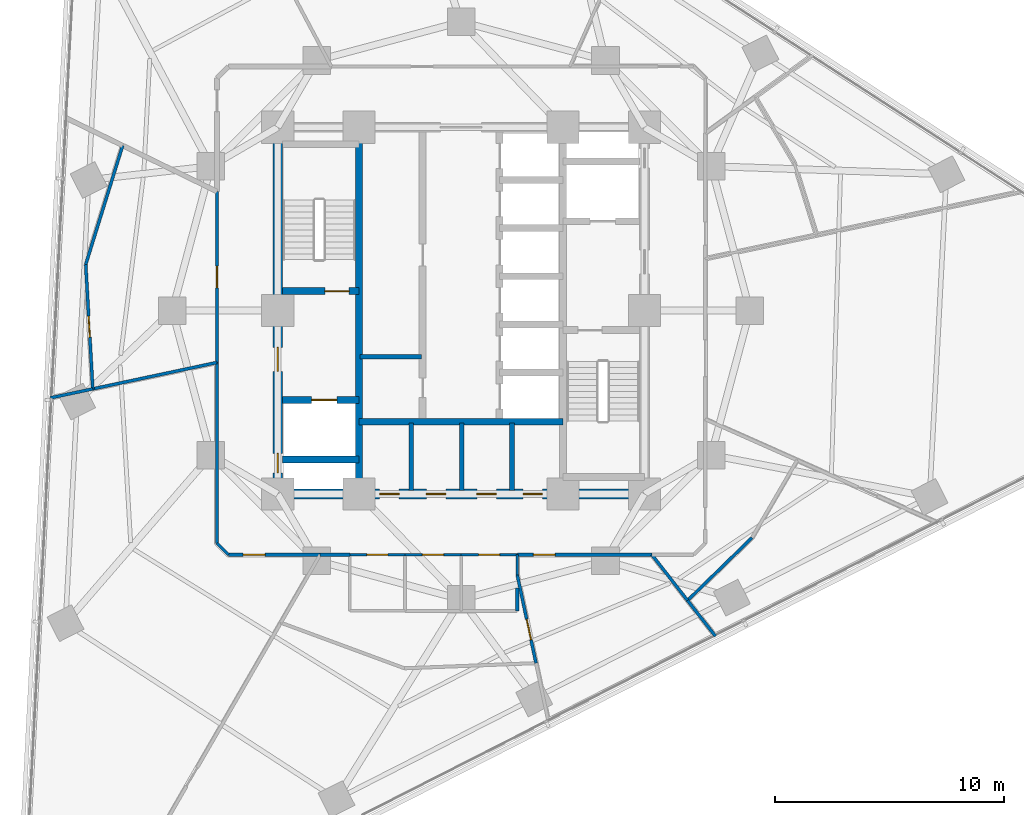
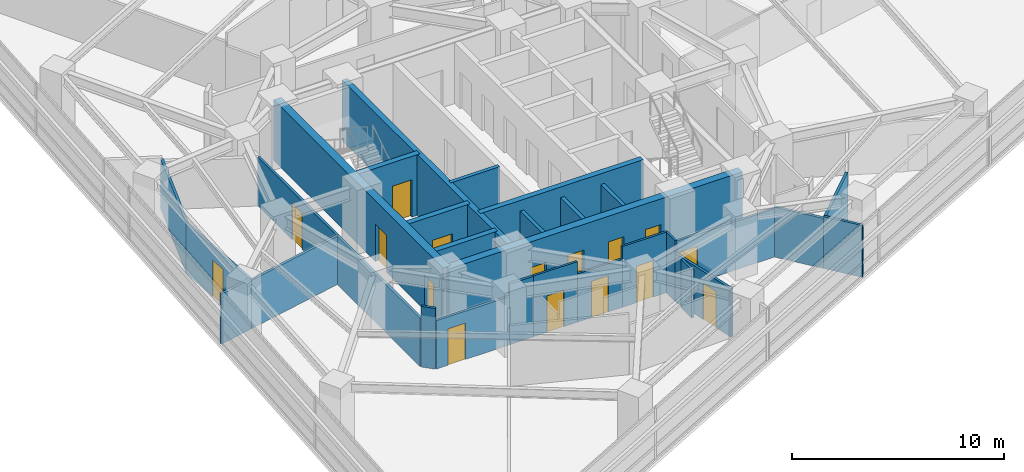
# One storey, part 8 of 14: 30 walls, 16 doors, 16 openings.
"""IFC4 building model written with IfcOpenShell, lengths in metres."""

from ifc_helpers import new_model, si_unit, direction, frame, frame_2d, origin, place, context, subcontext, project, spatial, rectangle, extrude, material, layer, layer_set, type_object, element, fill, save


model = new_model("IFC4")

# Units and contexts
model_context = context("Model", 3, precision=1e-05, world=origin(), true_north=direction((0.0, 1.0)))
body_context = subcontext(model_context, "Body", "Model", "MODEL_VIEW")
ifc_project = project(units=[si_unit("LENGTHUNIT", "METRE"), si_unit("AREAUNIT", "SQUARE_METRE"), si_unit("VOLUMEUNIT", "CUBIC_METRE"), si_unit("PLANEANGLEUNIT", "RADIAN"), si_unit("MASSUNIT", "GRAM", prefix="KILO")], contexts=[model_context])

# Site, building, storey
site_placement = place(None, origin())
site = spatial("IfcSite", under=ifc_project, at=site_placement, CompositionType="ELEMENT")
building_placement = place(site_placement, origin())
building = spatial("IfcBuilding", under=site, at=building_placement, Name="Terralouvre Media Tower", CompositionType="ELEMENT")
storey_placement = place(building_placement, frame((0.0, 0.0, 142.10009765625)))
storey = spatial("IfcBuildingStorey", under=building, at=storey_placement, Name="L36", CompositionType="ELEMENT", Elevation=142.10009765625)

# Wall
ifc_material_1 = material(Name="Concrete C50/60", Category="concrete")
ifc_layer_1 = layer(ifc_material_1, 0.300048828125, Name="Core Internal Shaft Wall CW-300")
ifc_layer_set_1 = layer_set([ifc_layer_1], Name="Concrete C50/60")
wall_type_1 = type_object("IfcWallType", Name="Core Internal Shaft Wall CW-300", PredefinedType="SHEAR", material=ifc_layer_set_1)
wall_1_placement = place(storey_placement, frame((-4.449951171875, -7.7900390625, 0.0), z_axis=(0.0, 0.0, 1.0), x_axis=(0.0, 1.0, 0.0)))
element("IfcWall", 1, at=wall_1_placement, inside=storey, type_object=wall_type_1, Name="L36 Core Shaft Wall SPW", PredefinedType="SHEAR", context=body_context, shape_type="SweptSolid", body=[
    extrude(rectangle(XDim=15.580078125, YDim=0.300048828125, at=frame_2d((7.7900390625, 0.0))), origin(), (0.0, 0.0, 1.0), 3.5),
])

# Wall, opening, door
wall_2_placement = place(storey_placement, frame((-7.7900390625, 0.85009765625, 0.0), z_axis=(0.0, 0.0, 1.0), x_axis=(1.0, 0.0, 0.0)))
wall_2 = element("IfcWall", 2, at=wall_2_placement, inside=storey, type_object=wall_type_1, Name="L36 Core Shaft Wall ST1D", PredefinedType="SHEAR", context=body_context, shape_type="SweptSolid", body=[
    extrude(rectangle(XDim=3.340087890625, YDim=0.300048828125, at=frame_2d((1.669921875, 0.0))), origin(), (0.0, 0.0, 1.0), 3.5),
])
opening_1_placement = place(wall_2_placement, frame((1.85009765625, 0.0, 0.0)))
opening_1 = element("IfcOpeningElement", 3, at=opening_1_placement, cuts=wall_2, Name="Opening FD-01-105X215", PredefinedType="OPENING", context=body_context, shape_type="SweptSolid", body=[
    extrude(rectangle(XDim=1.050048828125, YDim=2.14990234375, at=frame_2d((0.52490234375, 1.074951171875))), frame((0.0, 0.159912109375, 0.0), z_axis=(0.0, -1.0, 0.0), x_axis=(1.0, 0.0, 0.0)), (0.0, 0.0, 1.0), 0.320068359375),
])
ifc_material_2 = material(Name="Galvanised steel fire-resisting leaf", Category="steel")
door_type_1 = type_object("IfcDoorType", Name="Stair and Firefighting Lobby Fire Door FD-01 (1050x2150)", OperationType="NOTDEFINED", PredefinedType="DOOR", material=ifc_material_2)
door_1_placement = place(opening_1_placement, origin())
door_1 = element("IfcDoor", 4, at=door_1_placement, inside=storey, type_object=door_type_1, Name="L36 ST-01 Exit Stair Door", OperationType="SINGLE_SWING_LEFT", OverallHeight=2.14990234375, OverallWidth=1.050048828125, PredefinedType="DOOR", context=body_context, shape_type="SweptSolid", body=[
    extrude(rectangle(XDim=1.050048828125, YDim=2.14990234375, at=frame_2d((0.52490234375, 1.074951171875))), frame((0.0, 0.02490234375, 0.0), z_axis=(0.0, -1.0, 0.0), x_axis=(1.0, 0.0, 0.0)), (0.0, 0.0, 1.0), 0.050048828125),
])
fill(opening_1, door_1)

wall_3_placement = place(storey_placement, frame((-7.7900390625, -3.89990234375, 0.0), z_axis=(0.0, 0.0, 1.0), x_axis=(1.0, 0.0, 0.0)))
wall_3 = element("IfcWall", 5, at=wall_3_placement, inside=storey, type_object=wall_type_1, Name="L36 Core Shaft Wall FF1N", PredefinedType="SHEAR", context=body_context, shape_type="SweptSolid", body=[
    extrude(rectangle(XDim=3.340087890625, YDim=0.300048828125, at=frame_2d((1.669921875, 0.0))), origin(), (0.0, 0.0, 1.0), 3.5),
])
opening_2_placement = place(wall_3_placement, frame((1.27001953125, 0.0, 0.0)))
opening_2 = element("IfcOpeningElement", 6, at=opening_2_placement, cuts=wall_3, Name="Opening LD-FF", PredefinedType="OPENING", context=body_context, shape_type="SweptSolid", body=[
    extrude(rectangle(XDim=1.10009765625, YDim=2.10009765625, at=frame_2d((0.550048828125, 1.050048828125))), frame((0.0, 0.159912109375, 0.0), z_axis=(0.0, -1.0, 0.0), x_axis=(1.0, 0.0, 0.0)), (0.0, 0.0, 1.0), 0.320068359375),
])
ifc_material_3 = material(Name="Stainless steel 316 handrail and balustrade", Category="steel")
door_type_2 = type_object("IfcDoorType", Name="Firefighting Lift Sliding Landing Door LD-FF", OperationType="SLIDING_TO_LEFT", PredefinedType="DOOR", material=ifc_material_3)
door_2_placement = place(opening_2_placement, origin())
door_2 = element("IfcDoor", 7, at=door_2_placement, inside=storey, type_object=door_type_2, Name="L36 Firefighting Lift FFL-01 Landing Door", OperationType="SLIDING_TO_LEFT", OverallHeight=2.10009765625, OverallWidth=1.10009765625, PredefinedType="DOOR", context=body_context, shape_type="SweptSolid", body=[
    extrude(rectangle(XDim=1.10009765625, YDim=2.10009765625, at=frame_2d((0.550048828125, 1.050048828125))), frame((0.0, 0.02490234375, 0.0), z_axis=(0.0, -1.0, 0.0), x_axis=(1.0, 0.0, 0.0)), (0.0, 0.0, 1.0), 0.050048828125),
])
fill(opening_2, door_2)

# Walls
wall_4_placement = place(storey_placement, frame((-7.7900390625, -6.5, 0.0), z_axis=(0.0, 0.0, 1.0), x_axis=(1.0, 0.0, 0.0)))
element("IfcWall", 8, at=wall_4_placement, inside=storey, type_object=wall_type_1, Name="L36 Core Shaft Wall FF1S", PredefinedType="SHEAR", context=body_context, shape_type="SweptSolid", body=[
    extrude(rectangle(XDim=3.340087890625, YDim=0.300048828125, at=frame_2d((1.669921875, 0.0))), origin(), (0.0, 0.0, 1.0), 3.5),
])
wall_5_placement = place(storey_placement, frame((-4.449951171875, -4.85009765625, 0.0), z_axis=(0.0, 0.0, 1.0), x_axis=(1.0, 0.0, 0.0)))
element("IfcWall", 9, at=wall_5_placement, inside=storey, type_object=wall_type_1, Name="L36 Core Shaft Wall CSBN", PredefinedType="SHEAR", context=body_context, shape_type="SweptSolid", body=[
    extrude(rectangle(XDim=8.89990234375, YDim=0.300048828125, at=frame_2d((4.449951171875, 0.0))), origin(), (0.0, 0.0, 1.0), 3.5),
])

# Wall, openings, doors
ifc_material_4 = material(Name="Concrete C60/75", Category="concrete")
ifc_layer_2 = layer(ifc_material_4, 0.419921875, Name="Core Reinforced Concrete Shear Wall CW-420")
ifc_layer_set_2 = layer_set([ifc_layer_2], Name="Concrete C60/75")
wall_type_2 = type_object("IfcWallType", Name="Core Reinforced Concrete Shear Wall CW-420", PredefinedType="SHEAR", material=ifc_layer_set_2)
wall_6_placement = place(storey_placement, frame((-8.0, -8.0, 0.0), z_axis=(0.0, 0.0, 1.0), x_axis=(0.0, 1.0, 0.0)))
wall_6 = element("IfcWall", 10, at=wall_6_placement, inside=storey, type_object=wall_type_2, Name="L36 W Core Shear Wall", PredefinedType="SHEAR", context=body_context, shape_type="SweptSolid", body=[
    extrude(rectangle(XDim=16.0, YDim=0.419921875, at=frame_2d((8.0, 0.0))), origin(), (0.0, 0.0, 1.0), 3.5),
])
opening_3_placement = place(wall_6_placement, frame((0.921630859375, 0.0, 0.0)))
opening_3 = element("IfcOpeningElement", 11, at=opening_3_placement, cuts=wall_6, Name="Opening TD-R1", PredefinedType="OPENING", context=body_context, shape_type="SweptSolid", body=[
    extrude(rectangle(XDim=0.85009765625, YDim=2.02001953125, at=frame_2d((0.425048828125, 1.010009765625))), frame((0.0, 0.219970703125, 0.0), z_axis=(0.0, -1.0, 0.0), x_axis=(1.0, 0.0, 0.0)), (0.0, 0.0, 1.0), 0.43994140625),
])
opening_4_placement = place(wall_6_placement, frame((5.35009765625, 0.0, 0.0)))
opening_4 = element("IfcOpeningElement", 12, at=opening_4_placement, cuts=wall_6, Name="Opening FD-01-105X215", PredefinedType="OPENING", context=body_context, shape_type="SweptSolid", body=[
    extrude(rectangle(XDim=1.050048828125, YDim=2.14990234375, at=frame_2d((0.52490234375, 1.074951171875))), frame((0.0, 0.219970703125, 0.0), z_axis=(0.0, -1.0, 0.0), x_axis=(1.0, 0.0, 0.0)), (0.0, 0.0, 1.0), 0.43994140625),
])
ifc_material_5 = material(Name="Galvanised steel fire-resisting leaf", Category="steel")
door_type_3 = type_object("IfcDoorType", Name="Riser Inspection Access Trapdoor TD-R1", OperationType="NOTDEFINED", PredefinedType="TRAPDOOR", material=ifc_material_5)
door_3_placement = place(opening_3_placement, origin())
door_3 = element("IfcDoor", 13, at=door_3_placement, inside=storey, type_object=door_type_3, Name="L36 Wet Riser Access Trapdoor", OperationType="SINGLE_SWING_LEFT", OverallHeight=2.02001953125, OverallWidth=0.85009765625, PredefinedType="TRAPDOOR", context=body_context, shape_type="SweptSolid", body=[
    extrude(rectangle(XDim=0.85009765625, YDim=2.02001953125, at=frame_2d((0.425048828125, 1.010009765625))), frame((0.0, 0.02490234375, 0.0), z_axis=(0.0, -1.0, 0.0), x_axis=(1.0, 0.0, 0.0)), (0.0, 0.0, 1.0), 0.050048828125),
])
fill(opening_3, door_3)
door_4_placement = place(opening_4_placement, origin())
door_4 = element("IfcDoor", 14, at=door_4_placement, inside=storey, type_object=door_type_1, Name="L36 West Firefighting Lobby Entry Door", OperationType="SINGLE_SWING_RIGHT", OverallHeight=2.14990234375, OverallWidth=1.050048828125, PredefinedType="DOOR", context=body_context, shape_type="SweptSolid", body=[
    extrude(rectangle(XDim=1.050048828125, YDim=2.14990234375, at=frame_2d((0.52490234375, 1.074951171875))), frame((0.0, 0.02490234375, 0.0), z_axis=(0.0, -1.0, 0.0), x_axis=(1.0, 0.0, 0.0)), (0.0, 0.0, 1.0), 0.050048828125),
])
fill(opening_4, door_4)

wall_7_placement = place(storey_placement, frame((-8.0, -8.0, 0.0), z_axis=(0.0, 0.0, 1.0), x_axis=(1.0, 0.0, 0.0)))
wall_7 = element("IfcWall", 15, at=wall_7_placement, inside=storey, type_object=wall_type_2, Name="L36 S Core Shear Wall", PredefinedType="SHEAR", context=body_context, shape_type="SweptSolid", body=[
    extrude(rectangle(XDim=16.0, YDim=0.419921875, at=frame_2d((8.0, 0.0))), origin(), (0.0, 0.0, 1.0), 3.5),
])
opening_5_placement = place(wall_7_placement, frame((4.44873046875, 0.0, 0.0)))
opening_5 = element("IfcOpeningElement", 16, at=opening_5_placement, cuts=wall_7, Name="Opening TD-R1", PredefinedType="OPENING", context=body_context, shape_type="SweptSolid", body=[
    extrude(rectangle(XDim=0.85009765625, YDim=2.02001953125, at=frame_2d((0.425048828125, 1.010009765625))), frame((0.0, 0.219970703125, 0.0), z_axis=(0.0, -1.0, 0.0), x_axis=(1.0, 0.0, 0.0)), (0.0, 0.0, 1.0), 0.43994140625),
])
opening_6_placement = place(wall_7_placement, frame((6.489990234375, 0.0, 0.0)))
opening_6 = element("IfcOpeningElement", 17, at=opening_6_placement, cuts=wall_7, Name="Opening TD-R1", PredefinedType="OPENING", context=body_context, shape_type="SweptSolid", body=[
    extrude(rectangle(XDim=0.85009765625, YDim=2.02001953125, at=frame_2d((0.425048828125, 1.010009765625))), frame((0.0, 0.219970703125, 0.0), z_axis=(0.0, -1.0, 0.0), x_axis=(1.0, 0.0, 0.0)), (0.0, 0.0, 1.0), 0.43994140625),
])
opening_7_placement = place(wall_7_placement, frame((8.68994140625, 0.0, 0.0)))
opening_7 = element("IfcOpeningElement", 18, at=opening_7_placement, cuts=wall_7, Name="Opening TD-R1", PredefinedType="OPENING", context=body_context, shape_type="SweptSolid", body=[
    extrude(rectangle(XDim=0.85009765625, YDim=2.02001953125, at=frame_2d((0.425048828125, 1.010009765625))), frame((0.0, 0.219970703125, 0.0), z_axis=(0.0, -1.0, 0.0), x_axis=(1.0, 0.0, 0.0)), (0.0, 0.0, 1.0), 0.43994140625),
])
opening_8_placement = place(wall_7_placement, frame((10.701416015625, 0.0, 0.0)))
opening_8 = element("IfcOpeningElement", 19, at=opening_8_placement, cuts=wall_7, Name="Opening TD-R1", PredefinedType="OPENING", context=body_context, shape_type="SweptSolid", body=[
    extrude(rectangle(XDim=0.85009765625, YDim=2.02001953125, at=frame_2d((0.425048828125, 1.010009765625))), frame((0.0, 0.219970703125, 0.0), z_axis=(0.0, -1.0, 0.0), x_axis=(1.0, 0.0, 0.0)), (0.0, 0.0, 1.0), 0.43994140625),
])
door_5_placement = place(opening_5_placement, origin())
door_5 = element("IfcDoor", 20, at=door_5_placement, inside=storey, type_object=door_type_3, Name="L36 Core Battery Plant Door", OperationType="SINGLE_SWING_LEFT", OverallHeight=2.02001953125, OverallWidth=0.85009765625, PredefinedType="TRAPDOOR", context=body_context, shape_type="SweptSolid", body=[
    extrude(rectangle(XDim=0.85009765625, YDim=2.02001953125, at=frame_2d((0.425048828125, 1.010009765625))), frame((0.0, 0.02490234375, 0.0), z_axis=(0.0, -1.0, 0.0), x_axis=(1.0, 0.0, 0.0)), (0.0, 0.0, 1.0), 0.050048828125),
])
fill(opening_5, door_5)
door_6_placement = place(opening_6_placement, origin())
door_6 = element("IfcDoor", 21, at=door_6_placement, inside=storey, type_object=door_type_3, Name="L36 Core IT Patch Plant Door", OperationType="SINGLE_SWING_RIGHT", OverallHeight=2.02001953125, OverallWidth=0.85009765625, PredefinedType="TRAPDOOR", context=body_context, shape_type="SweptSolid", body=[
    extrude(rectangle(XDim=0.85009765625, YDim=2.02001953125, at=frame_2d((0.425048828125, 1.010009765625))), frame((0.0, 0.02490234375, 0.0), z_axis=(0.0, -1.0, 0.0), x_axis=(1.0, 0.0, 0.0)), (0.0, 0.0, 1.0), 0.050048828125),
])
fill(opening_6, door_6)
door_7_placement = place(opening_7_placement, origin())
door_7 = element("IfcDoor", 22, at=door_7_placement, inside=storey, type_object=door_type_3, Name="L36 Core Housekeeping Store Door", OperationType="SINGLE_SWING_LEFT", OverallHeight=2.02001953125, OverallWidth=0.85009765625, PredefinedType="TRAPDOOR", context=body_context, shape_type="SweptSolid", body=[
    extrude(rectangle(XDim=0.85009765625, YDim=2.02001953125, at=frame_2d((0.425048828125, 1.010009765625))), frame((0.0, 0.02490234375, 0.0), z_axis=(0.0, -1.0, 0.0), x_axis=(1.0, 0.0, 0.0)), (0.0, 0.0, 1.0), 0.050048828125),
])
fill(opening_7, door_7)
door_8_placement = place(opening_8_placement, origin())
door_8 = element("IfcDoor", 23, at=door_8_placement, inside=storey, type_object=door_type_3, Name="L36 Core Smoke Damper Plant Door", OperationType="SINGLE_SWING_RIGHT", OverallHeight=2.02001953125, OverallWidth=0.85009765625, PredefinedType="TRAPDOOR", context=body_context, shape_type="SweptSolid", body=[
    extrude(rectangle(XDim=0.85009765625, YDim=2.02001953125, at=frame_2d((0.425048828125, 1.010009765625))), frame((0.0, 0.02490234375, 0.0), z_axis=(0.0, -1.0, 0.0), x_axis=(1.0, 0.0, 0.0)), (0.0, 0.0, 1.0), 0.050048828125),
])
fill(opening_8, door_8)

# Walls
ifc_material_6 = material(Name="Fire-rated gypsum board drywall partition")
ifc_layer_3 = layer(ifc_material_6, 0.199951171875, Name="Fire-Rated Shaft and Lobby Partition FW-200")
ifc_layer_set_3 = layer_set([ifc_layer_3], Name="Fire-rated gypsum board drywall partition")
wall_type_3 = type_object("IfcWallType", Name="Fire-Rated Shaft and Lobby Partition FW-200", PredefinedType="SOLIDWALL", material=ifc_layer_set_3)
for number, where, z_axis, x_axis, name in (
    (24, (-2.179931640625, -7.85009765625, 0.0), (0.0, 0.0, 1.0), (0.0, 1.0, 0.0), "L36 Core Service Bay Partition 1"),
    (25, (0.02001953125, -7.85009765625, 0.0), (0.0, 0.0, 1.0), (0.0, 1.0, 0.0), "L36 Core Service Bay Partition 2"),
    (26, (2.219970703125, -7.85009765625, 0.0), (0.0, 0.0, 1.0), (0.0, 1.0, 0.0), "L36 Core Service Bay Partition 3"),
):
    element("IfcWall", number, at=place(storey_placement, frame(where, z_axis=z_axis, x_axis=x_axis)), inside=storey, type_object=wall_type_3, Name=name, PredefinedType="SOLIDWALL", context=body_context, shape_type="SweptSolid", body=[
        extrude(rectangle(XDim=2.9501953125, YDim=0.199951171875, at=frame_2d((1.47509765625, 0.0))), origin(), (0.0, 0.0, 1.0), 2.885009765625),
    ])
wall_8_placement = place(storey_placement, frame((-4.39990234375, -2.010009765625, 0.0), z_axis=(0.0, 0.0, 1.0), x_axis=(1.0, 0.0, 0.0)))
element("IfcWall", 27, at=wall_8_placement, inside=storey, type_object=wall_type_3, Name="L36 Core West Sub-Partition 1", PredefinedType="SOLIDWALL", context=body_context, shape_type="SweptSolid", body=[
    extrude(rectangle(XDim=2.679931640625, YDim=0.199951171875, at=frame_2d((1.33984375, 0.0))), origin(), (0.0, 0.0, 1.0), 3.5),
])
ifc_material_7 = material(Name="Fire-rated gypsum board drywall partition")
ifc_layer_4 = layer(ifc_material_7, 0.135009765625, Name="Newsroom Acoustic Partition PT-135")
ifc_layer_set_4 = layer_set([ifc_layer_4], Name="Fire-rated gypsum board drywall partition")
wall_type_4 = type_object("IfcWallType", Name="Newsroom Acoustic Partition PT-135", PredefinedType="PARTITIONING", material=ifc_layer_set_4)
wall_9_placement = place(storey_placement, frame((-10.64990234375, -2.263916015625, 0.0), z_axis=(0.0, 0.0, 1.0), x_axis=(0.0, -1.0, 0.0)))
element("IfcWall", 28, at=wall_9_placement, inside=storey, type_object=wall_type_4, Name="L36 Interior Partition 001", PredefinedType="PARTITIONING", context=body_context, shape_type="SweptSolid", body=[
    extrude(rectangle(XDim=7.885986328125, YDim=0.135009765625, at=frame_2d((3.94287109375, 0.0))), origin(), (0.0, 0.0, 1.0), 2.784912109375),
])
wall_10_placement = place(storey_placement, frame((-10.64990234375, -10.14990234375, 0.0), z_axis=(0.0, 0.0, 1.0), x_axis=(0.707106781187, -0.707106781187, 0.0)))
element("IfcWall", 29, at=wall_10_placement, inside=storey, type_object=wall_type_4, Name="L36 Interior Partition 002", PredefinedType="PARTITIONING", context=body_context, shape_type="SweptSolid", body=[
    extrude(rectangle(XDim=0.70703125, YDim=0.135009765625, at=frame_2d((0.353515625, 0.0))), origin(), (0.0, 0.0, 1.0), 3.5),
])

# Wall, opening, door
wall_11_placement = place(storey_placement, frame((-10.14990234375, -10.64990234375, 0.0), z_axis=(0.0, 0.0, 1.0), x_axis=(1.0, 0.0, 0.0)))
wall_11 = element("IfcWall", 30, at=wall_11_placement, inside=storey, type_object=wall_type_4, Name="L36 Interior Partition 003", PredefinedType="PARTITIONING", context=body_context, shape_type="SweptSolid", body=[
    extrude(rectangle(XDim=4.0009765625, YDim=0.135009765625, at=frame_2d((2.00048828125, 0.0))), origin(), (0.0, 0.0, 1.0), 2.784912109375),
])
opening_9_placement = place(wall_11_placement, frame((0.645263671875, 0.0, 0.0)))
opening_9 = element("IfcOpeningElement", 31, at=opening_9_placement, cuts=wall_11, Name="Opening ID-02-95X210", PredefinedType="OPENING", context=body_context, shape_type="SweptSolid", body=[
    extrude(rectangle(XDim=0.949951171875, YDim=2.10009765625, at=frame_2d((0.47509765625, 1.050048828125))), frame((0.0, 0.077392578125, 0.0), z_axis=(0.0, -1.0, 0.0), x_axis=(1.0, 0.0, 0.0)), (0.0, 0.0, 1.0), 0.155029296875),
])
ifc_material_8 = material(Name="Engineered hardwood acoustic timber leaf", Category="wood")
door_type_4 = type_object("IfcDoorType", Name="Office and Meeting Room Door ID-02 (950x2100)", OperationType="NOTDEFINED", PredefinedType="DOOR", material=ifc_material_8)
door_9_placement = place(opening_9_placement, origin())
door_9 = element("IfcDoor", 32, at=door_9_placement, inside=storey, type_object=door_type_4, Name="L36 Graphics Desk Office 1 Door", OperationType="SINGLE_SWING_RIGHT", OverallHeight=2.10009765625, OverallWidth=0.949951171875, PredefinedType="DOOR", context=body_context, shape_type="SweptSolid", body=[
    extrude(rectangle(XDim=0.949951171875, YDim=2.10009765625, at=frame_2d((0.47509765625, 1.050048828125))), frame((0.0, 0.02490234375, 0.0), z_axis=(0.0, -1.0, 0.0), x_axis=(1.0, 0.0, 0.0)), (0.0, 0.0, 1.0), 0.050048828125),
])
fill(opening_9, door_9)

# Wall
wall_12_placement = place(storey_placement, frame((-6.14892578125, -10.64990234375, 0.0), z_axis=(0.0, 0.0, 1.0), x_axis=(1.0, 0.0, 0.0)))
element("IfcWall", 33, at=wall_12_placement, inside=storey, type_object=wall_type_4, Name="L36 Interior Partition 005", PredefinedType="PARTITIONING", context=body_context, shape_type="SweptSolid", body=[
    extrude(rectangle(XDim=1.298828125, YDim=0.135009765625, at=frame_2d((0.6494140625, 0.0))), origin(), (0.0, 0.0, 1.0), 3.5),
])

# Wall, opening, door
wall_13_placement = place(storey_placement, frame((2.449951171875, -10.64990234375, 0.0), z_axis=(0.0, 0.0, 1.0), x_axis=(1.0, 0.0, 0.0)))
wall_13 = element("IfcWall", 34, at=wall_13_placement, inside=storey, type_object=wall_type_4, Name="L36 Interior Partition 008", PredefinedType="PARTITIONING", context=body_context, shape_type="SweptSolid", body=[
    extrude(rectangle(XDim=5.87109375, YDim=0.135009765625, at=frame_2d((2.935546875, 0.0))), origin(), (0.0, 0.0, 1.0), 2.784912109375),
])
opening_10_placement = place(wall_13_placement, frame((0.69921875, 0.0, 0.0)))
opening_10 = element("IfcOpeningElement", 35, at=opening_10_placement, cuts=wall_13, Name="Opening ID-02-95X210", PredefinedType="OPENING", context=body_context, shape_type="SweptSolid", body=[
    extrude(rectangle(XDim=0.949951171875, YDim=2.10009765625, at=frame_2d((0.47509765625, 1.050048828125))), frame((0.0, 0.077392578125, 0.0), z_axis=(0.0, -1.0, 0.0), x_axis=(1.0, 0.0, 0.0)), (0.0, 0.0, 1.0), 0.155029296875),
])
door_10_placement = place(opening_10_placement, origin())
door_10 = element("IfcDoor", 36, at=door_10_placement, inside=storey, type_object=door_type_4, Name="L36 Breaking Desk Editorial Office 4 Door", OperationType="SINGLE_SWING_RIGHT", OverallHeight=2.10009765625, OverallWidth=0.949951171875, PredefinedType="DOOR", context=body_context, shape_type="SweptSolid", body=[
    extrude(rectangle(XDim=0.949951171875, YDim=2.10009765625, at=frame_2d((0.47509765625, 1.050048828125))), frame((0.0, 0.02490234375, 0.0), z_axis=(0.0, -1.0, 0.0), x_axis=(1.0, 0.0, 0.0)), (0.0, 0.0, 1.0), 0.050048828125),
])
fill(opening_10, door_10)

wall_14_placement = place(storey_placement, frame((-10.64990234375, 5.194091796875, 0.0), z_axis=(0.0, 0.0, 1.0), x_axis=(0.0, -1.0, 0.0)))
wall_14 = element("IfcWall", 37, at=wall_14_placement, inside=storey, type_object=wall_type_4, Name="L36 Interior Partition 021", PredefinedType="PARTITIONING", context=body_context, shape_type="SweptSolid", body=[
    extrude(rectangle(XDim=7.4580078125, YDim=0.135009765625, at=frame_2d((3.72900390625, 0.0))), origin(), (0.0, 0.0, 1.0), 2.784912109375),
])
opening_11_placement = place(wall_14_placement, frame((3.25390625, 0.0, 0.0)))
opening_11 = element("IfcOpeningElement", 38, at=opening_11_placement, cuts=wall_14, Name="Opening ID-02-95X210", PredefinedType="OPENING", context=body_context, shape_type="SweptSolid", body=[
    extrude(rectangle(XDim=0.949951171875, YDim=2.10009765625, at=frame_2d((0.47509765625, 1.050048828125))), frame((0.0, 0.077392578125, 0.0), z_axis=(0.0, -1.0, 0.0), x_axis=(1.0, 0.0, 0.0)), (0.0, 0.0, 1.0), 0.155029296875),
])
door_11_placement = place(opening_11_placement, origin())
door_11 = element("IfcDoor", 39, at=door_11_placement, inside=storey, type_object=door_type_4, Name="L36 Graphics Desk Office 15 Door", OperationType="SINGLE_SWING_LEFT", OverallHeight=2.10009765625, OverallWidth=0.949951171875, PredefinedType="DOOR", context=body_context, shape_type="SweptSolid", body=[
    extrude(rectangle(XDim=0.949951171875, YDim=2.10009765625, at=frame_2d((0.47509765625, 1.050048828125))), frame((0.0, 0.02490234375, 0.0), z_axis=(0.0, -1.0, 0.0), x_axis=(1.0, 0.0, 0.0)), (0.0, 0.0, 1.0), 0.050048828125),
])
fill(opening_11, door_11)

# Walls
wall_15_placement = place(storey_placement, frame((-16.069091796875, -3.416015625, 0.0), z_axis=(0.0, 0.0, 1.0), x_axis=(-0.978246851629, -0.207444202805, 0.0)))
element("IfcWall", 40, at=wall_15_placement, inside=storey, type_object=wall_type_4, Name="L36 Interior Partition 024", PredefinedType="PARTITIONING", context=body_context, shape_type="SweptSolid", body=[
    extrude(rectangle(XDim=1.8876953125, YDim=0.135009765625, at=frame_2d((0.94384765625, 0.0))), origin(), (0.0, 0.0, 1.0), 2.885009765625),
])
wall_16_placement = place(storey_placement, frame((-10.64990234375, -2.263916015625, 0.0), z_axis=(0.0, 0.0, 1.0), x_axis=(-0.978139695811, -0.207948877079, 0.0)))
element("IfcWall", 41, at=wall_16_placement, inside=storey, type_object=wall_type_4, Name="L36 Interior Partition 025", PredefinedType="PARTITIONING", context=body_context, shape_type="SweptSolid", body=[
    extrude(rectangle(XDim=5.540283203125, YDim=0.135009765625, at=frame_2d((2.77001953125, 0.0))), origin(), (0.0, 0.0, 1.0), 2.784912109375),
])
wall_17_placement = place(storey_placement, frame((2.449951171875, -12.103271484375, 0.0), z_axis=(0.0, 0.0, 1.0), x_axis=(0.0, -1.0, 0.0)))
element("IfcWall", 42, at=wall_17_placement, inside=storey, type_object=wall_type_4, Name="L36 Interior Partition 033", PredefinedType="PARTITIONING", context=body_context, shape_type="SweptSolid", body=[
    extrude(rectangle(XDim=0.996826171875, YDim=0.135009765625, at=frame_2d((0.49853515625, 0.0))), origin(), (0.0, 0.0, 1.0), 2.784912109375),
])

# Wall, opening, door
wall_18_placement = place(storey_placement, frame((3.26904296875, -15.3798828125, 0.0), z_axis=(0.0, 0.0, 1.0), x_axis=(-0.207886916666, 0.978152866314, 0.0)))
wall_18 = element("IfcWall", 43, at=wall_18_placement, inside=storey, type_object=wall_type_4, Name="L36 Interior Partition 035", PredefinedType="PARTITIONING", context=body_context, shape_type="SweptSolid", body=[
    extrude(rectangle(XDim=3.940185546875, YDim=0.135009765625, at=frame_2d((1.97021484375, 0.0))), origin(), (0.0, 0.0, 1.0), 2.784912109375),
])
opening_12_placement = place(wall_18_placement, frame((1.037109375, 0.0, 0.0)))
opening_12 = element("IfcOpeningElement", 44, at=opening_12_placement, cuts=wall_18, Name="Opening ID-03-92X210", PredefinedType="OPENING", context=body_context, shape_type="SweptSolid", body=[
    extrude(rectangle(XDim=0.919921875, YDim=2.10009765625, at=frame_2d((0.4599609375, 1.050048828125))), frame((0.0, 0.077392578125, 0.0), z_axis=(0.0, -1.0, 0.0), x_axis=(1.0, 0.0, 0.0)), (0.0, 0.0, 1.0), 0.155029296875),
])
ifc_material_9 = material(Name="Engineered hardwood acoustic timber leaf", Category="wood")
door_type_5 = type_object("IfcDoorType", Name="Accessible Restroom and Suite Door ID-03 (920x2100)", OperationType="NOTDEFINED", PredefinedType="DOOR", material=ifc_material_9)
door_12_placement = place(opening_12_placement, origin())
door_12 = element("IfcDoor", 45, at=door_12_placement, inside=storey, type_object=door_type_5, Name="L36 Live Wire Newsroom Open Office 3 Door", OperationType="SINGLE_SWING_LEFT", OverallHeight=2.10009765625, OverallWidth=0.919921875, PredefinedType="DOOR", context=body_context, shape_type="SweptSolid", body=[
    extrude(rectangle(XDim=0.919921875, YDim=2.10009765625, at=frame_2d((0.4599609375, 1.050048828125))), frame((0.0, 0.02490234375, 0.0), z_axis=(0.0, -1.0, 0.0), x_axis=(1.0, 0.0, 0.0)), (0.0, 0.0, 1.0), 0.050048828125),
])
fill(opening_12, door_12)

# Walls
wall_19_placement = place(storey_placement, frame((9.8798828125, -12.64599609375, 0.0), z_axis=(0.0, 0.0, 1.0), x_axis=(-0.61549437888, 0.788141275132, 0.0)))
element("IfcWall", 46, at=wall_19_placement, inside=storey, type_object=wall_type_4, Name="L36 Interior Partition 038", PredefinedType="PARTITIONING", context=body_context, shape_type="SweptSolid", body=[
    extrude(rectangle(XDim=2.53271484375, YDim=0.135009765625, at=frame_2d((1.266357421875, 0.0))), origin(), (0.0, 0.0, 1.0), 2.885009765625),
])
wall_20_placement = place(storey_placement, frame((11.09619140625, -14.202392578125, 0.0), z_axis=(0.0, 0.0, 1.0), x_axis=(-0.615761561206, 0.78793254771, 0.0)))
element("IfcWall", 47, at=wall_20_placement, inside=storey, type_object=wall_type_4, Name="L36 Interior Partition 039", PredefinedType="PARTITIONING", context=body_context, shape_type="SweptSolid", body=[
    extrude(rectangle(XDim=1.975341796875, YDim=0.135009765625, at=frame_2d((0.98779296875, 0.0))), origin(), (0.0, 0.0, 1.0), 2.98486328125),
])
wall_21_placement = place(storey_placement, frame((9.8798828125, -12.64599609375, 0.0), z_axis=(0.0, 0.0, 1.0), x_axis=(0.716390870365, 0.697699162145, 0.0)))
element("IfcWall", 48, at=wall_21_placement, inside=storey, type_object=wall_type_4, Name="L36 Interior Partition 040", PredefinedType="PARTITIONING", context=body_context, shape_type="SweptSolid", body=[
    extrude(rectangle(XDim=3.91845703125, YDim=0.135009765625, at=frame_2d((1.959228515625, 0.0))), origin(), (0.0, 0.0, 1.0), 2.885009765625),
])

# Wall, opening, door
wall_22_placement = place(storey_placement, frame((-16.069091796875, -3.416015625, 0.0), z_axis=(0.0, 0.0, 1.0), x_axis=(-0.056636641993, 0.99839485715, 0.0)))
wall_22 = element("IfcWall", 49, at=wall_22_placement, inside=storey, type_object=wall_type_4, Name="L36 Interior Partition 059", PredefinedType="PARTITIONING", context=body_context, shape_type="SweptSolid", body=[
    extrude(rectangle(XDim=5.435791015625, YDim=0.135009765625, at=frame_2d((2.7177734375, 0.0))), origin(), (0.0, 0.0, 1.0), 2.885009765625),
])
opening_13_placement = place(wall_22_placement, frame((2.2578125, 0.0, 0.0)))
opening_13 = element("IfcOpeningElement", 50, at=opening_13_placement, cuts=wall_22, Name="Opening ID-03-92X210", PredefinedType="OPENING", context=body_context, shape_type="SweptSolid", body=[
    extrude(rectangle(XDim=0.919921875, YDim=2.10009765625, at=frame_2d((0.4599609375, 1.050048828125))), frame((0.0, 0.077392578125, 0.0), z_axis=(0.0, -1.0, 0.0), x_axis=(1.0, 0.0, 0.0)), (0.0, 0.0, 1.0), 0.155029296875),
])
door_13_placement = place(opening_13_placement, origin())
door_13 = element("IfcDoor", 51, at=door_13_placement, inside=storey, type_object=door_type_5, Name="L36 Wire Copy Workspace 14 Door", OperationType="SINGLE_SWING_LEFT", OverallHeight=2.10009765625, OverallWidth=0.919921875, PredefinedType="DOOR", context=body_context, shape_type="SweptSolid", body=[
    extrude(rectangle(XDim=0.919921875, YDim=2.10009765625, at=frame_2d((0.4599609375, 1.050048828125))), frame((0.0, 0.02490234375, 0.0), z_axis=(0.0, -1.0, 0.0), x_axis=(1.0, 0.0, 0.0)), (0.0, 0.0, 1.0), 0.050048828125),
])
fill(opening_13, door_13)

# Wall
wall_23_placement = place(storey_placement, frame((-16.376953125, 2.010986328125, 0.0), z_axis=(0.0, 0.0, 1.0), x_axis=(0.296581456096, 0.955007560127, 0.0)))
element("IfcWall", 52, at=wall_23_placement, inside=storey, type_object=wall_type_4, Name="L36 Interior Partition 060", PredefinedType="PARTITIONING", context=body_context, shape_type="SweptSolid", body=[
    extrude(rectangle(XDim=5.435546875, YDim=0.135009765625, at=frame_2d((2.7177734375, 0.0))), origin(), (0.0, 0.0, 1.0), 2.885009765625),
])

# Wall, opening, door
ifc_material_10 = material(Name="Fire-rated gypsum board drywall partition")
ifc_layer_5 = layer(ifc_material_10, 0.114990234375, Name="Restroom and Pantry Partition PT-115")
ifc_layer_set_5 = layer_set([ifc_layer_5], Name="Fire-rated gypsum board drywall partition")
wall_type_5 = type_object("IfcWallType", Name="Restroom and Pantry Partition PT-115", PredefinedType="PARTITIONING", material=ifc_layer_set_5)
wall_24_placement = place(storey_placement, frame((-4.85009765625, -10.64990234375, 0.0), z_axis=(0.0, 0.0, 1.0), x_axis=(1.0, 0.0, 0.0)))
wall_24 = element("IfcWall", 53, at=wall_24_placement, inside=storey, type_object=wall_type_5, Name="L36 Interior Partition 004", PredefinedType="PARTITIONING", context=body_context, shape_type="SweptSolid", body=[
    extrude(rectangle(XDim=2.400146484375, YDim=0.114990234375, at=frame_2d((1.2001953125, 0.0))), origin(), (0.0, 0.0, 1.0), 3.5),
])
opening_14_placement = place(wall_24_placement, frame((0.739990234375, 0.0, 0.0)))
opening_14 = element("IfcOpeningElement", 54, at=opening_14_placement, cuts=wall_24, Name="Opening ID-03-92X210", PredefinedType="OPENING", context=body_context, shape_type="SweptSolid", body=[
    extrude(rectangle(XDim=0.919921875, YDim=2.10009765625, at=frame_2d((0.4599609375, 1.050048828125))), frame((0.0, 0.0673828125, 0.0), z_axis=(0.0, -1.0, 0.0), x_axis=(1.0, 0.0, 0.0)), (0.0, 0.0, 1.0), 0.135009765625),
])
door_14_placement = place(opening_14_placement, origin())
door_14 = element("IfcDoor", 55, at=door_14_placement, inside=storey, type_object=door_type_5, Name="L36 Male Restroom WC Door", OperationType="SINGLE_SWING_LEFT", OverallHeight=2.10009765625, OverallWidth=0.919921875, PredefinedType="DOOR", context=body_context, shape_type="SweptSolid", body=[
    extrude(rectangle(XDim=0.919921875, YDim=2.10009765625, at=frame_2d((0.4599609375, 1.050048828125))), frame((0.0, 0.02490234375, 0.0), z_axis=(0.0, -1.0, 0.0), x_axis=(1.0, 0.0, 0.0)), (0.0, 0.0, 1.0), 0.050048828125),
])
fill(opening_14, door_14)

wall_25_placement = place(storey_placement, frame((-2.449951171875, -10.64990234375, 0.0), z_axis=(0.0, 0.0, 1.0), x_axis=(1.0, 0.0, 0.0)))
wall_25 = element("IfcWall", 56, at=wall_25_placement, inside=storey, type_object=wall_type_5, Name="L36 Interior Partition 006", PredefinedType="PARTITIONING", context=body_context, shape_type="SweptSolid", body=[
    extrude(rectangle(XDim=2.449951171875, YDim=0.114990234375, at=frame_2d((1.22509765625, 0.0))), origin(), (0.0, 0.0, 1.0), 2.784912109375),
])
opening_15_placement = place(wall_25_placement, frame((0.764892578125, 0.0, 0.0)))
opening_15 = element("IfcOpeningElement", 57, at=opening_15_placement, cuts=wall_25, Name="Opening ID-03-92X210", PredefinedType="OPENING", context=body_context, shape_type="SweptSolid", body=[
    extrude(rectangle(XDim=0.919921875, YDim=2.10009765625, at=frame_2d((0.4599609375, 1.050048828125))), frame((0.0, 0.0673828125, 0.0), z_axis=(0.0, -1.0, 0.0), x_axis=(1.0, 0.0, 0.0)), (0.0, 0.0, 1.0), 0.135009765625),
])
door_15_placement = place(opening_15_placement, origin())
door_15 = element("IfcDoor", 58, at=door_15_placement, inside=storey, type_object=door_type_5, Name="L36 Female Restroom WC Door", OperationType="SINGLE_SWING_RIGHT", OverallHeight=2.10009765625, OverallWidth=0.919921875, PredefinedType="DOOR", context=body_context, shape_type="SweptSolid", body=[
    extrude(rectangle(XDim=0.919921875, YDim=2.10009765625, at=frame_2d((0.4599609375, 1.050048828125))), frame((0.0, 0.02490234375, 0.0), z_axis=(0.0, -1.0, 0.0), x_axis=(1.0, 0.0, 0.0)), (0.0, 0.0, 1.0), 0.050048828125),
])
fill(opening_15, door_15)

wall_26_placement = place(storey_placement, frame((0.0, -10.64990234375, 0.0), z_axis=(0.0, 0.0, 1.0), x_axis=(1.0, 0.0, 0.0)))
wall_26 = element("IfcWall", 59, at=wall_26_placement, inside=storey, type_object=wall_type_5, Name="L36 Interior Partition 007", PredefinedType="PARTITIONING", context=body_context, shape_type="SweptSolid", body=[
    extrude(rectangle(XDim=2.449951171875, YDim=0.114990234375, at=frame_2d((1.22509765625, 0.0))), origin(), (0.0, 0.0, 1.0), 3.5),
])
opening_16_placement = place(wall_26_placement, frame((0.764892578125, 0.0, 0.0)))
opening_16 = element("IfcOpeningElement", 60, at=opening_16_placement, cuts=wall_26, Name="Opening ID-03-92X210", PredefinedType="OPENING", context=body_context, shape_type="SweptSolid", body=[
    extrude(rectangle(XDim=0.919921875, YDim=2.10009765625, at=frame_2d((0.4599609375, 1.050048828125))), frame((0.0, 0.0673828125, 0.0), z_axis=(0.0, -1.0, 0.0), x_axis=(1.0, 0.0, 0.0)), (0.0, 0.0, 1.0), 0.135009765625),
])
door_16_placement = place(opening_16_placement, origin())
door_16 = element("IfcDoor", 61, at=door_16_placement, inside=storey, type_object=door_type_5, Name="L36 Accessible Unisex WC Door", OperationType="SINGLE_SWING_LEFT", OverallHeight=2.10009765625, OverallWidth=0.919921875, PredefinedType="DOOR", context=body_context, shape_type="SweptSolid", body=[
    extrude(rectangle(XDim=0.919921875, YDim=2.10009765625, at=frame_2d((0.4599609375, 1.050048828125))), frame((0.0, 0.02490234375, 0.0), z_axis=(0.0, -1.0, 0.0), x_axis=(1.0, 0.0, 0.0)), (0.0, 0.0, 1.0), 0.050048828125),
])
fill(opening_16, door_16)

# Wall
wall_27_placement = place(storey_placement, frame((2.449951171875, -11.52587890625, 0.0), z_axis=(0.0, 0.0, 1.0), x_axis=(0.0, 1.0, 0.0)))
element("IfcWall", 62, at=wall_27_placement, inside=storey, type_object=wall_type_5, Name="L36 Interior Partition 037", PredefinedType="PARTITIONING", context=body_context, shape_type="SweptSolid", body=[
    extrude(rectangle(XDim=0.8759765625, YDim=0.114990234375, at=frame_2d((0.43798828125, 0.0))), origin(), (0.0, 0.0, 1.0), 3.5),
])

save(model, "model.ifc")
